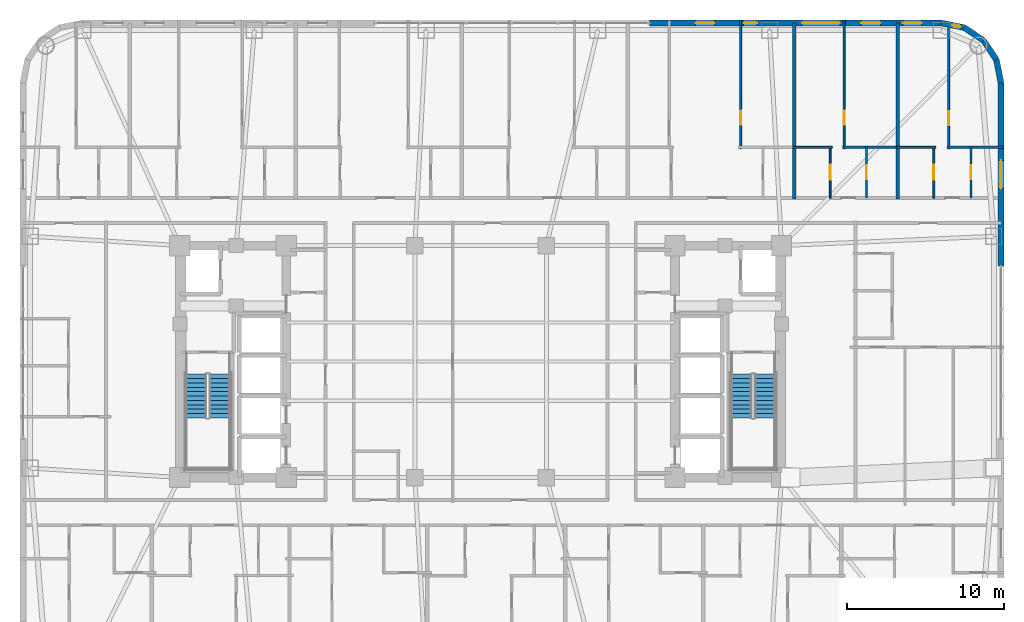
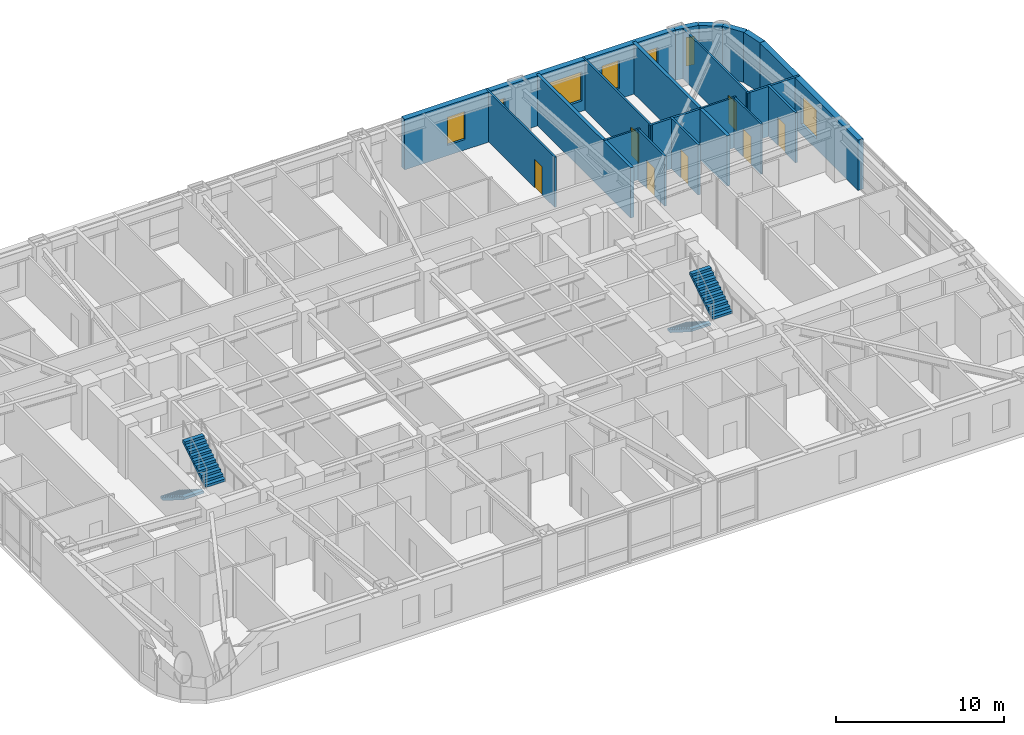
# One storey, part 26 of 28: 19 walls, 7 doors, 7 windows, 4 stair flights, 14 openings, 2 elements without a shape of their own.
"""IFC4 building model written with IfcOpenShell, lengths in metres."""

from ifc_helpers import new_model, si_unit, direction, frame, frame_2d, origin, place, context, subcontext, project, spatial, polyline, rectangle, outline, extrude, material, layer, layer_set, type_object, element, fill, aggregate, save


model = new_model("IFC4")

# Units and contexts
model_context = context("Model", 3, precision=1e-05, world=origin(), true_north=direction((0.0, 1.0)))
body_context = subcontext(model_context, "Body", "Model", "MODEL_VIEW")
ifc_project = project(units=[si_unit("LENGTHUNIT", "METRE"), si_unit("AREAUNIT", "SQUARE_METRE"), si_unit("VOLUMEUNIT", "CUBIC_METRE"), si_unit("PLANEANGLEUNIT", "RADIAN"), si_unit("MASSUNIT", "GRAM", prefix="KILO")], contexts=[model_context])

# Site, building, storey
site_placement = place(None, origin())
site = spatial("IfcSite", under=ifc_project, at=site_placement, CompositionType="ELEMENT")
building_placement = place(site_placement, origin())
building = spatial("IfcBuilding", under=site, at=building_placement, Name="Voryun Gate Residences", CompositionType="ELEMENT")
storey_placement = place(building_placement, frame((0.0, 0.0, 117.0)))
storey = spatial("IfcBuildingStorey", under=building, at=storey_placement, Name="L28", CompositionType="ELEMENT", Elevation=117.0)

# Wall, openings, windows
ifc_material_1 = material(Name="Granite masonry", Category="masonry")
ifc_layer_1 = layer(ifc_material_1, 0.3798828125, Name="W_EXT_GRANITE_380")
ifc_layer_set_1 = layer_set([ifc_layer_1], Name="Granite masonry")
wall_type_1 = type_object("IfcWallType", Name="W_EXT_GRANITE_380", PredefinedType="ELEMENTEDWALL", material=ifc_layer_set_1)
wall_1_placement = place(storey_placement, frame((10.761962890625, 21.610107421875, 0.0), z_axis=(0.0, 0.0, 1.0), x_axis=(1.0, 0.0, 0.0)))
wall_1 = element("IfcWall", 1, at=wall_1_placement, inside=storey, type_object=wall_type_1, Name="Exterior wall WEXT-L28-11B", PredefinedType="ELEMENTEDWALL", context=body_context, shape_type="SweptSolid", body=[
    extrude(rectangle(XDim=18.619384765625, YDim=0.3798828125, at=frame_2d((9.3095703125, 0.0))), origin(), (0.0, 0.0, 1.0), 3.64990234375),
])
opening_1_placement = place(wall_1_placement, frame((9.759521484375, 0.0, 0.75)))
opening_1 = element("IfcOpeningElement", 2, at=opening_1_placement, cuts=wall_1, Name="Opening WN2", PredefinedType="OPENING", context=body_context, shape_type="SweptSolid", body=[
    extrude(rectangle(XDim=2.39990234375, YDim=2.10009765625, at=frame_2d((1.199951171875, 1.050048828125))), frame((0.0, 0.199951171875, 0.0), z_axis=(0.0, -1.0, 0.0), x_axis=(1.0, 0.0, 0.0)), (0.0, 0.0, 1.0), 0.39990234375),
])
opening_2_placement = place(wall_1_placement, frame((2.951904296875, 0.0, 0.75)))
opening_2 = element("IfcOpeningElement", 3, at=opening_2_placement, cuts=wall_1, Name="Opening WN6", PredefinedType="OPENING", context=body_context, shape_type="SweptSolid", body=[
    extrude(rectangle(XDim=1.199951171875, YDim=2.050048828125, at=frame_2d((0.60009765625, 1.02490234375))), frame((0.0, 0.199951171875, 0.0), z_axis=(0.0, -1.0, 0.0), x_axis=(1.0, 0.0, 0.0)), (0.0, 0.0, 1.0), 0.39990234375),
])
opening_3_placement = place(wall_1_placement, frame((6.028076171875, 0.0, 0.75)))
opening_3 = element("IfcOpeningElement", 4, at=opening_3_placement, cuts=wall_1, Name="Opening WN9", PredefinedType="OPENING", context=body_context, shape_type="SweptSolid", body=[
    extrude(rectangle(XDim=0.85009765625, YDim=2.050048828125, at=frame_2d((0.425048828125, 1.02490234375))), frame((0.0, 0.199951171875, 0.0), z_axis=(0.0, -1.0, 0.0), x_axis=(1.0, 0.0, 0.0)), (0.0, 0.0, 1.0), 0.39990234375),
])
opening_4_placement = place(wall_1_placement, frame((13.5419921875, 0.0, 0.75)))
opening_4 = element("IfcOpeningElement", 5, at=opening_4_placement, cuts=wall_1, Name="Opening WN6", PredefinedType="OPENING", context=body_context, shape_type="SweptSolid", body=[
    extrude(rectangle(XDim=1.199951171875, YDim=2.050048828125, at=frame_2d((0.60009765625, 1.02490234375))), frame((0.0, 0.199951171875, 0.0), z_axis=(0.0, -1.0, 0.0), x_axis=(1.0, 0.0, 0.0)), (0.0, 0.0, 1.0), 0.39990234375),
])
opening_5_placement = place(wall_1_placement, frame((16.18798828125, 0.0, 0.75)))
opening_5 = element("IfcOpeningElement", 6, at=opening_5_placement, cuts=wall_1, Name="Opening WN6", PredefinedType="OPENING", context=body_context, shape_type="SweptSolid", body=[
    extrude(rectangle(XDim=1.199951171875, YDim=2.050048828125, at=frame_2d((0.60009765625, 1.02490234375))), frame((0.0, 0.199951171875, 0.0), z_axis=(0.0, -1.0, 0.0), x_axis=(1.0, 0.0, 0.0)), (0.0, 0.0, 1.0), 0.39990234375),
])
ifc_material_2 = material(Name="Laminated low-E glass", Category="glass")
window_type_1 = type_object("IfcWindowType", Name="WN_POD_SLOT_1200", PartitioningType="SINGLE_PANEL", PredefinedType="WINDOW", material=ifc_material_2)
window_1_placement = place(opening_2_placement, origin())
window_1 = element("IfcWindow", 7, at=window_1_placement, inside=storey, type_object=window_type_1, Name="Window WN-L28-DWFIX-06", OverallHeight=2.050048828125, OverallWidth=1.199951171875, PartitioningType="SINGLE_PANEL", PredefinedType="WINDOW", context=body_context, shape_type="SweptSolid", body=[
    extrude(rectangle(XDim=1.199951171875, YDim=2.050048828125, at=frame_2d((0.60009765625, 1.02490234375))), frame((0.0, 0.030029296875, 0.0), z_axis=(0.0, -1.0, 0.0), x_axis=(1.0, 0.0, 0.0)), (0.0, 0.0, 1.0), 0.06005859375),
])
fill(opening_2, window_1)
window_2_placement = place(opening_4_placement, origin())
window_2 = element("IfcWindow", 8, at=window_2_placement, inside=storey, type_object=window_type_1, Name="Window WN-L28-DWFIX-08", OverallHeight=2.050048828125, OverallWidth=1.199951171875, PartitioningType="SINGLE_PANEL", PredefinedType="WINDOW", context=body_context, shape_type="SweptSolid", body=[
    extrude(rectangle(XDim=1.199951171875, YDim=2.050048828125, at=frame_2d((0.60009765625, 1.02490234375))), frame((0.0, 0.030029296875, 0.0), z_axis=(0.0, -1.0, 0.0), x_axis=(1.0, 0.0, 0.0)), (0.0, 0.0, 1.0), 0.06005859375),
])
fill(opening_4, window_2)
window_3_placement = place(opening_5_placement, origin())
window_3 = element("IfcWindow", 9, at=window_3_placement, inside=storey, type_object=window_type_1, Name="Window WN-L28-DWFIX-09", OverallHeight=2.050048828125, OverallWidth=1.199951171875, PartitioningType="SINGLE_PANEL", PredefinedType="WINDOW", context=body_context, shape_type="SweptSolid", body=[
    extrude(rectangle(XDim=1.199951171875, YDim=2.050048828125, at=frame_2d((0.60009765625, 1.02490234375))), frame((0.0, 0.030029296875, 0.0), z_axis=(0.0, -1.0, 0.0), x_axis=(1.0, 0.0, 0.0)), (0.0, 0.0, 1.0), 0.06005859375),
])
fill(opening_5, window_3)
ifc_material_3 = material(Name="Laminated low-E glass", Category="glass")
window_type_2 = type_object("IfcWindowType", Name="WN_RES_CASEMENT_850", PartitioningType="SINGLE_PANEL", PredefinedType="WINDOW", material=ifc_material_3)
window_4_placement = place(opening_3_placement, origin())
window_4 = element("IfcWindow", 10, at=window_4_placement, inside=storey, type_object=window_type_2, Name="Window WN-L28-DWFIX-07", OverallHeight=2.050048828125, OverallWidth=0.85009765625, PartitioningType="SINGLE_PANEL", PredefinedType="WINDOW", context=body_context, shape_type="SweptSolid", body=[
    extrude(rectangle(XDim=0.85009765625, YDim=2.050048828125, at=frame_2d((0.425048828125, 1.02490234375))), frame((0.0, 0.030029296875, 0.0), z_axis=(0.0, -1.0, 0.0), x_axis=(1.0, 0.0, 0.0)), (0.0, 0.0, 1.0), 0.06005859375),
])
fill(opening_3, window_4)
ifc_material_4 = material(Name="Laminated low-E glass", Category="glass")
window_type_3 = type_object("IfcWindowType", Name="WN_RES_WIDE_2400", PartitioningType="SINGLE_PANEL", PredefinedType="WINDOW", material=ifc_material_4)
window_5_placement = place(opening_1_placement, origin())
window_5 = element("IfcWindow", 11, at=window_5_placement, inside=storey, type_object=window_type_3, Name="Window WN-WEXT-L28-11B-01", OverallHeight=2.10009765625, OverallWidth=2.39990234375, PartitioningType="SINGLE_PANEL", PredefinedType="WINDOW", context=body_context, shape_type="SweptSolid", body=[
    extrude(rectangle(XDim=2.39990234375, YDim=2.10009765625, at=frame_2d((1.199951171875, 1.050048828125))), frame((0.0, 0.030029296875, 0.0), z_axis=(0.0, -1.0, 0.0), x_axis=(1.0, 0.0, 0.0)), (0.0, 0.0, 1.0), 0.06005859375),
])
fill(opening_1, window_5)

# Wall, opening, window
wall_2_placement = place(storey_placement, frame((29.38134765625, 21.610107421875, 0.0), z_axis=(0.0, 0.0, 1.0), x_axis=(0.980755066645, -0.195242155415, 0.0)))
wall_2 = element("IfcWall", 12, at=wall_2_placement, inside=storey, type_object=wall_type_1, Name="Exterior wall WEXT-L28-12", PredefinedType="ELEMENTEDWALL", context=body_context, shape_type="SweptSolid", body=[
    extrude(rectangle(XDim=1.50439453125, YDim=0.3798828125, at=frame_2d((0.752197265625, 0.0))), origin(), (0.0, 0.0, 1.0), 3.64990234375),
])
opening_6_placement = place(wall_2_placement, frame((0.732177734375, 0.0, 0.75)))
opening_6 = element("IfcOpeningElement", 13, at=opening_6_placement, cuts=wall_2, Name="Opening WN10", PredefinedType="OPENING", context=body_context, shape_type="SweptSolid", body=[
    extrude(rectangle(XDim=0.52001953125, YDim=2.050048828125, at=frame_2d((0.260009765625, 1.02490234375))), frame((0.0, 0.199951171875, 0.0), z_axis=(0.0, -1.0, 0.0), x_axis=(1.0, 0.0, 0.0)), (0.0, 0.0, 1.0), 0.39990234375),
])
ifc_material_5 = material(Name="Laminated low-E glass", Category="glass")
window_type_4 = type_object("IfcWindowType", Name="WN_PAGODA_LANCET_520", PartitioningType="SINGLE_PANEL", PredefinedType="WINDOW", material=ifc_material_5)
window_6_placement = place(opening_6_placement, origin())
window_6 = element("IfcWindow", 14, at=window_6_placement, inside=storey, type_object=window_type_4, Name="Window WN-L28-DWFIX-10", OverallHeight=2.050048828125, OverallWidth=0.52001953125, PartitioningType="SINGLE_PANEL", PredefinedType="WINDOW", context=body_context, shape_type="SweptSolid", body=[
    extrude(rectangle(XDim=0.52001953125, YDim=2.050048828125, at=frame_2d((0.260009765625, 1.02490234375))), frame((0.0, 0.030029296875, 0.0), z_axis=(0.0, -1.0, 0.0), x_axis=(1.0, 0.0, 0.0)), (0.0, 0.0, 1.0), 0.06005859375),
])
fill(opening_6, window_6)

# Walls
wall_3_placement = place(storey_placement, frame((30.856689453125, 21.31640625, 0.0), z_axis=(0.0, 0.0, 1.0), x_axis=(0.831468045563, -0.555572577804, 0.0)))
element("IfcWall", 15, at=wall_3_placement, inside=storey, type_object=wall_type_1, Name="Exterior wall WEXT-L28-13", PredefinedType="ELEMENTEDWALL", context=body_context, shape_type="SweptSolid", body=[
    extrude(rectangle(XDim=1.48486328125, YDim=0.3798828125, at=frame_2d((0.742431640625, 0.0))), origin(), (0.0, 0.0, 1.0), 3.64990234375),
])
wall_4_placement = place(storey_placement, frame((32.09130859375, 20.491455078125, 0.0), z_axis=(0.0, 0.0, 1.0), x_axis=(0.555610286119, -0.831442848281, 0.0)))
element("IfcWall", 16, at=wall_4_placement, inside=storey, type_object=wall_type_1, Name="Exterior wall WEXT-L28-14", PredefinedType="ELEMENTEDWALL", context=body_context, shape_type="SweptSolid", body=[
    extrude(rectangle(XDim=1.485107421875, YDim=0.3798828125, at=frame_2d((0.74267578125, 0.0))), origin(), (0.0, 0.0, 1.0), 3.64990234375),
])
wall_5_placement = place(storey_placement, frame((32.91650390625, 19.256591796875, 0.0), z_axis=(0.0, 0.0, 1.0), x_axis=(0.195086038585, -0.980786132421, 0.0)))
element("IfcWall", 17, at=wall_5_placement, inside=storey, type_object=wall_type_1, Name="Exterior wall WEXT-L28-15", PredefinedType="ELEMENTEDWALL", context=body_context, shape_type="SweptSolid", body=[
    extrude(rectangle(XDim=1.504150390625, YDim=0.3798828125, at=frame_2d((0.751953125, 0.0))), origin(), (0.0, 0.0, 1.0), 3.64990234375),
])

# Wall, opening, window
wall_6_placement = place(storey_placement, frame((33.2099609375, 17.78125, 0.0), z_axis=(0.0, 0.0, 1.0), x_axis=(0.0, -1.0, 0.0)))
wall_6 = element("IfcWall", 18, at=wall_6_placement, inside=storey, type_object=wall_type_1, Name="Exterior wall WEXT-L28-16A", PredefinedType="ELEMENTEDWALL", context=body_context, shape_type="SweptSolid", body=[
    extrude(rectangle(XDim=11.683349609375, YDim=0.3798828125, at=frame_2d((5.841796875, 0.0))), origin(), (0.0, 0.0, 1.0), 3.64990234375),
])
opening_7_placement = place(wall_6_placement, frame((4.941650390625, 0.0, 0.75)))
opening_7 = element("IfcOpeningElement", 19, at=opening_7_placement, cuts=wall_6, Name="Opening WN1", PredefinedType="OPENING", context=body_context, shape_type="SweptSolid", body=[
    extrude(rectangle(XDim=1.800048828125, YDim=2.10009765625, at=frame_2d((0.89990234375, 1.050048828125))), frame((0.0, 0.199951171875, 0.0), z_axis=(0.0, -1.0, 0.0), x_axis=(1.0, 0.0, 0.0)), (0.0, 0.0, 1.0), 0.39990234375),
])
ifc_material_6 = material(Name="Laminated low-E glass", Category="glass")
window_type_5 = type_object("IfcWindowType", Name="WN_RES_PUNCH_1800", PartitioningType="SINGLE_PANEL", PredefinedType="WINDOW", material=ifc_material_6)
window_7_placement = place(opening_7_placement, origin())
window_7 = element("IfcWindow", 20, at=window_7_placement, inside=storey, type_object=window_type_5, Name="Window WN-WEXT-L28-16A-01", OverallHeight=2.10009765625, OverallWidth=1.800048828125, PartitioningType="SINGLE_PANEL", PredefinedType="WINDOW", context=body_context, shape_type="SweptSolid", body=[
    extrude(rectangle(XDim=1.800048828125, YDim=2.10009765625, at=frame_2d((0.89990234375, 1.050048828125))), frame((0.0, 0.030029296875, 0.0), z_axis=(0.0, -1.0, 0.0), x_axis=(1.0, 0.0, 0.0)), (0.0, 0.0, 1.0), 0.06005859375),
])
fill(opening_7, window_7)

# Walls
ifc_material_7 = material(Name="Concrete C40/50", Category="concrete")
ifc_layer_2 = layer(ifc_material_7, 0.219970703125, Name="W_PARTY_ACOUSTIC_220")
ifc_layer_set_2 = layer_set([ifc_layer_2], Name="Concrete C40/50")
wall_type_2 = type_object("IfcWallType", Name="W_PARTY_ACOUSTIC_220", PredefinedType="PARTITIONING", material=ifc_layer_set_2)
for number, where, z_axis, x_axis, name in (
    (21, (20.0, 10.3701171875, 0.0), (0.0, 0.0, 1.0), (0.0, 1.0, 0.0), "Partition wall WP-L28-NPTY-5"),
    (22, (26.60888671875, 10.3701171875, 0.0), (0.0, 0.0, 1.0), (0.0, 1.0, 0.0), "Partition wall WP-L28-NPTY-6"),
):
    element("IfcWall", number, at=place(storey_placement, frame(where, z_axis=z_axis, x_axis=x_axis)), inside=storey, type_object=wall_type_2, Name=name, PredefinedType="PARTITIONING", context=body_context, shape_type="SweptSolid", body=[
        extrude(rectangle(XDim=11.239990234375, YDim=0.219970703125, at=frame_2d((5.6201171875, 0.0))), origin(), (0.0, 0.0, 1.0), 3.64990234375),
    ])

# Wall, opening, door
ifc_material_8 = material(Name="Gypsum acoustic partition")
ifc_layer_3 = layer(ifc_material_8, 0.125, Name="W_UNIT_PART_125")
ifc_layer_set_3 = layer_set([ifc_layer_3], Name="Gypsum acoustic partition")
wall_type_3 = type_object("IfcWallType", Name="W_UNIT_PART_125", PredefinedType="PARTITIONING", material=ifc_layer_set_3)
wall_7_placement = place(storey_placement, frame((16.590087890625, 13.590087890625, 0.0), z_axis=(0.0, 0.0, 1.0), x_axis=(0.0, 1.0, 0.0)))
wall_7 = element("IfcWall", 23, at=wall_7_placement, inside=storey, type_object=wall_type_3, Name="Partition wall WP-L28-N5-OVR", PredefinedType="PARTITIONING", context=body_context, shape_type="SweptSolid", body=[
    extrude(rectangle(XDim=8.169921875, YDim=0.125, at=frame_2d((4.0849609375, 0.0))), origin(), (0.0, 0.0, 1.0), 3.64990234375),
])
opening_8_placement = place(wall_7_placement, frame((1.5107421875, 0.0, 0.0)))
opening_8 = element("IfcOpeningElement", 24, at=opening_8_placement, cuts=wall_7, Name="Opening D-INT-2", PredefinedType="OPENING", context=body_context, shape_type="SweptSolid", body=[
    extrude(rectangle(XDim=0.89990234375, YDim=2.050048828125, at=frame_2d((0.449951171875, 1.02490234375))), frame((0.0, 0.072509765625, 0.0), z_axis=(0.0, -1.0, 0.0), x_axis=(1.0, 0.0, 0.0)), (0.0, 0.0, 1.0), 0.14501953125),
])
ifc_material_9 = material(Name="Architectural oak veneer")
door_type_1 = type_object("IfcDoorType", Name="DR_INT_BATH_900", OperationType="NOTDEFINED", PredefinedType="DOOR", material=ifc_material_9)
door_1_placement = place(opening_8_placement, origin())
door_1 = element("IfcDoor", 25, at=door_1_placement, inside=storey, type_object=door_type_1, Name="Door DR-L28-N5-DMB", OperationType="SINGLE_SWING_RIGHT", OverallHeight=2.050048828125, OverallWidth=0.89990234375, PredefinedType="DOOR", context=body_context, shape_type="SweptSolid", body=[
    extrude(rectangle(XDim=0.89990234375, YDim=2.050048828125, at=frame_2d((0.449951171875, 1.02490234375))), frame((0.0, 0.02490234375, 0.0), z_axis=(0.0, -1.0, 0.0), x_axis=(1.0, 0.0, 0.0)), (0.0, 0.0, 1.0), 0.050048828125),
])
fill(opening_8, door_1)

wall_8_placement = place(storey_placement, frame((23.198974609375, 13.590087890625, 0.0), z_axis=(0.0, 0.0, 1.0), x_axis=(0.0, 1.0, 0.0)))
wall_8 = element("IfcWall", 26, at=wall_8_placement, inside=storey, type_object=wall_type_3, Name="Partition wall WP-L28-N6-OVR", PredefinedType="PARTITIONING", context=body_context, shape_type="SweptSolid", body=[
    extrude(rectangle(XDim=8.169921875, YDim=0.125, at=frame_2d((4.0849609375, 0.0))), origin(), (0.0, 0.0, 1.0), 3.64990234375),
])
opening_9_placement = place(wall_8_placement, frame((1.5107421875, 0.0, 0.0)))
opening_9 = element("IfcOpeningElement", 27, at=opening_9_placement, cuts=wall_8, Name="Opening D-INT-2", PredefinedType="OPENING", context=body_context, shape_type="SweptSolid", body=[
    extrude(rectangle(XDim=0.89990234375, YDim=2.050048828125, at=frame_2d((0.449951171875, 1.02490234375))), frame((0.0, 0.072509765625, 0.0), z_axis=(0.0, -1.0, 0.0), x_axis=(1.0, 0.0, 0.0)), (0.0, 0.0, 1.0), 0.14501953125),
])
door_2_placement = place(opening_9_placement, origin())
door_2 = element("IfcDoor", 28, at=door_2_placement, inside=storey, type_object=door_type_1, Name="Door DR-L28-N6-DMB", OperationType="SINGLE_SWING_RIGHT", OverallHeight=2.050048828125, OverallWidth=0.89990234375, PredefinedType="DOOR", context=body_context, shape_type="SweptSolid", body=[
    extrude(rectangle(XDim=0.89990234375, YDim=2.050048828125, at=frame_2d((0.449951171875, 1.02490234375))), frame((0.0, 0.02490234375, 0.0), z_axis=(0.0, -1.0, 0.0), x_axis=(1.0, 0.0, 0.0)), (0.0, 0.0, 1.0), 0.050048828125),
])
fill(opening_9, door_2)

wall_9_placement = place(storey_placement, frame((22.31005859375, 10.429931640625, 0.0), z_axis=(0.0, 0.0, 1.0), x_axis=(0.0, 1.0, 0.0)))
wall_9 = element("IfcWall", 29, at=wall_9_placement, inside=storey, type_object=wall_type_3, Name="Partition wall WP-L28-N6-IVK", PredefinedType="PARTITIONING", context=body_context, shape_type="SweptSolid", body=[
    extrude(rectangle(XDim=3.320068359375, YDim=0.125, at=frame_2d((1.66015625, 0.0))), origin(), (0.0, 0.0, 1.0), 3.64990234375),
])
opening_10_placement = place(wall_9_placement, frame((1.18505859375, 0.0, 0.0)))
opening_10 = element("IfcOpeningElement", 30, at=opening_10_placement, cuts=wall_9, Name="Opening D-INT-1", PredefinedType="OPENING", context=body_context, shape_type="SweptSolid", body=[
    extrude(rectangle(XDim=0.949951171875, YDim=2.050048828125, at=frame_2d((0.47509765625, 1.02490234375))), frame((0.0, 0.072509765625, 0.0), z_axis=(0.0, -1.0, 0.0), x_axis=(1.0, 0.0, 0.0)), (0.0, 0.0, 1.0), 0.14501953125),
])
ifc_material_10 = material(Name="Architectural oak veneer")
door_type_2 = type_object("IfcDoorType", Name="DR_INT_ROOM_950", OperationType="NOTDEFINED", PredefinedType="DOOR", material=ifc_material_10)
door_3_placement = place(opening_10_placement, origin())
door_3 = element("IfcDoor", 31, at=door_3_placement, inside=storey, type_object=door_type_2, Name="Door DR-L28-N6-DK", OperationType="SINGLE_SWING_LEFT", OverallHeight=2.050048828125, OverallWidth=0.949951171875, PredefinedType="DOOR", context=body_context, shape_type="SweptSolid", body=[
    extrude(rectangle(XDim=0.949951171875, YDim=2.050048828125, at=frame_2d((0.47509765625, 1.02490234375))), frame((0.0, 0.02490234375, 0.0), z_axis=(0.0, -1.0, 0.0), x_axis=(1.0, 0.0, 0.0)), (0.0, 0.0, 1.0), 0.050048828125),
])
fill(opening_10, door_3)

# Wall
wall_10_placement = place(storey_placement, frame((19.925048828125, 13.669921875, 0.0), z_axis=(0.0, 0.0, 1.0), x_axis=(1.0, 0.0, 0.0)))
element("IfcWall", 32, at=wall_10_placement, inside=storey, type_object=wall_type_3, Name="Partition wall WP-L28-N6-HZK", PredefinedType="PARTITIONING", context=body_context, shape_type="SweptSolid", body=[
    extrude(rectangle(XDim=2.5048828125, YDim=0.125, at=frame_2d((1.25244140625, 0.0))), origin(), (0.0, 0.0, 1.0), 3.64990234375),
])

# Wall, opening, door
wall_11_placement = place(storey_placement, frame((29.867919921875, 13.590087890625, 0.0), z_axis=(0.0, 0.0, 1.0), x_axis=(0.0, 1.0, 0.0)))
wall_11 = element("IfcWall", 33, at=wall_11_placement, inside=storey, type_object=wall_type_3, Name="Partition wall WP-L28-N7-OVR", PredefinedType="PARTITIONING", context=body_context, shape_type="SweptSolid", body=[
    extrude(rectangle(XDim=8.075927734375, YDim=0.125, at=frame_2d((4.0380859375, 0.0))), origin(), (0.0, 0.0, 1.0), 3.64990234375),
])
opening_11_placement = place(wall_11_placement, frame((1.48828125, 0.0, 0.0)))
opening_11 = element("IfcOpeningElement", 34, at=opening_11_placement, cuts=wall_11, Name="Opening D-INT-2", PredefinedType="OPENING", context=body_context, shape_type="SweptSolid", body=[
    extrude(rectangle(XDim=0.89990234375, YDim=2.050048828125, at=frame_2d((0.449951171875, 1.02490234375))), frame((0.0, 0.072509765625, 0.0), z_axis=(0.0, -1.0, 0.0), x_axis=(1.0, 0.0, 0.0)), (0.0, 0.0, 1.0), 0.14501953125),
])
door_4_placement = place(opening_11_placement, origin())
door_4 = element("IfcDoor", 35, at=door_4_placement, inside=storey, type_object=door_type_1, Name="Door DR-L28-N7-DMB", OperationType="SINGLE_SWING_RIGHT", OverallHeight=2.050048828125, OverallWidth=0.89990234375, PredefinedType="DOOR", context=body_context, shape_type="SweptSolid", body=[
    extrude(rectangle(XDim=0.89990234375, YDim=2.050048828125, at=frame_2d((0.449951171875, 1.02490234375))), frame((0.0, 0.02490234375, 0.0), z_axis=(0.0, -1.0, 0.0), x_axis=(1.0, 0.0, 0.0)), (0.0, 0.0, 1.0), 0.050048828125),
])
fill(opening_11, door_4)

wall_12_placement = place(storey_placement, frame((28.9189453125, 10.429931640625, 0.0), z_axis=(0.0, 0.0, 1.0), x_axis=(0.0, 1.0, 0.0)))
wall_12 = element("IfcWall", 36, at=wall_12_placement, inside=storey, type_object=wall_type_3, Name="Partition wall WP-L28-N7-IVK", PredefinedType="PARTITIONING", context=body_context, shape_type="SweptSolid", body=[
    extrude(rectangle(XDim=3.320068359375, YDim=0.125, at=frame_2d((1.66015625, 0.0))), origin(), (0.0, 0.0, 1.0), 3.64990234375),
])
opening_12_placement = place(wall_12_placement, frame((1.18505859375, 0.0, 0.0)))
opening_12 = element("IfcOpeningElement", 37, at=opening_12_placement, cuts=wall_12, Name="Opening D-INT-1", PredefinedType="OPENING", context=body_context, shape_type="SweptSolid", body=[
    extrude(rectangle(XDim=0.949951171875, YDim=2.050048828125, at=frame_2d((0.47509765625, 1.02490234375))), frame((0.0, 0.072509765625, 0.0), z_axis=(0.0, -1.0, 0.0), x_axis=(1.0, 0.0, 0.0)), (0.0, 0.0, 1.0), 0.14501953125),
])
door_5_placement = place(opening_12_placement, origin())
door_5 = element("IfcDoor", 38, at=door_5_placement, inside=storey, type_object=door_type_2, Name="Door DR-L28-N7-DK", OperationType="SINGLE_SWING_LEFT", OverallHeight=2.050048828125, OverallWidth=0.949951171875, PredefinedType="DOOR", context=body_context, shape_type="SweptSolid", body=[
    extrude(rectangle(XDim=0.949951171875, YDim=2.050048828125, at=frame_2d((0.47509765625, 1.02490234375))), frame((0.0, 0.02490234375, 0.0), z_axis=(0.0, -1.0, 0.0), x_axis=(1.0, 0.0, 0.0)), (0.0, 0.0, 1.0), 0.050048828125),
])
fill(opening_12, door_5)

# Walls
wall_13_placement = place(storey_placement, frame((26.533935546875, 13.669921875, 0.0), z_axis=(0.0, 0.0, 1.0), x_axis=(1.0, 0.0, 0.0)))
element("IfcWall", 39, at=wall_13_placement, inside=storey, type_object=wall_type_3, Name="Partition wall WP-L28-N7-HZK", PredefinedType="PARTITIONING", context=body_context, shape_type="SweptSolid", body=[
    extrude(rectangle(XDim=2.505126953125, YDim=0.125, at=frame_2d((1.25244140625, 0.0))), origin(), (0.0, 0.0, 1.0), 3.64990234375),
])
ifc_material_11 = material(Name="Gypsum moisture-resistant partition")
ifc_layer_4 = layer(ifc_material_11, 0.14990234375, Name="W_WET_PLUMB_150")
ifc_layer_set_4 = layer_set([ifc_layer_4], Name="Gypsum moisture-resistant partition")
wall_type_4 = type_object("IfcWallType", Name="W_WET_PLUMB_150", PredefinedType="PLUMBINGWALL", material=ifc_layer_set_4)
wall_14_placement = place(storey_placement, frame((23.0791015625, 13.669921875, 0.0), z_axis=(0.0, 0.0, 1.0), x_axis=(1.0, 0.0, 0.0)))
element("IfcWall", 40, at=wall_14_placement, inside=storey, type_object=wall_type_4, Name="Partition wall WP-L28-N6-HZB", PredefinedType="PLUMBINGWALL", context=body_context, shape_type="SweptSolid", body=[
    extrude(rectangle(XDim=3.60498046875, YDim=0.14990234375, at=frame_2d((1.802490234375, 0.0))), origin(), (0.0, 0.0, 1.0), 3.64990234375),
])

# Wall, opening, door
wall_15_placement = place(storey_placement, frame((24.62890625, 10.429931640625, 0.0), z_axis=(0.0, 0.0, 1.0), x_axis=(0.0, 1.0, 0.0)))
wall_15 = element("IfcWall", 41, at=wall_15_placement, inside=storey, type_object=wall_type_4, Name="Partition wall WP-L28-N6-IVB", PredefinedType="PLUMBINGWALL", context=body_context, shape_type="SweptSolid", body=[
    extrude(rectangle(XDim=3.320068359375, YDim=0.14990234375, at=frame_2d((1.66015625, 0.0))), origin(), (0.0, 0.0, 1.0), 3.64990234375),
])
opening_13_placement = place(wall_15_placement, frame((1.2099609375, 0.0, 0.0)))
opening_13 = element("IfcOpeningElement", 42, at=opening_13_placement, cuts=wall_15, Name="Opening D-INT-2", PredefinedType="OPENING", context=body_context, shape_type="SweptSolid", body=[
    extrude(rectangle(XDim=0.89990234375, YDim=2.050048828125, at=frame_2d((0.449951171875, 1.02490234375))), frame((0.0, 0.0849609375, 0.0), z_axis=(0.0, -1.0, 0.0), x_axis=(1.0, 0.0, 0.0)), (0.0, 0.0, 1.0), 0.169921875),
])
door_6_placement = place(opening_13_placement, origin())
door_6 = element("IfcDoor", 43, at=door_6_placement, inside=storey, type_object=door_type_1, Name="Door DR-L28-N6-DB", OperationType="SINGLE_SWING_RIGHT", OverallHeight=2.050048828125, OverallWidth=0.89990234375, PredefinedType="DOOR", context=body_context, shape_type="SweptSolid", body=[
    extrude(rectangle(XDim=0.89990234375, YDim=2.050048828125, at=frame_2d((0.449951171875, 1.02490234375))), frame((0.0, 0.02490234375, 0.0), z_axis=(0.0, -1.0, 0.0), x_axis=(1.0, 0.0, 0.0)), (0.0, 0.0, 1.0), 0.050048828125),
])
fill(opening_13, door_6)

# Wall
wall_16_placement = place(storey_placement, frame((29.748046875, 13.669921875, 0.0), z_axis=(0.0, 0.0, 1.0), x_axis=(1.0, 0.0, 0.0)))
element("IfcWall", 44, at=wall_16_placement, inside=storey, type_object=wall_type_4, Name="Partition wall WP-L28-N7-HZB", PredefinedType="PLUMBINGWALL", context=body_context, shape_type="SweptSolid", body=[
    extrude(rectangle(XDim=3.612060546875, YDim=0.14990234375, at=frame_2d((1.80615234375, 0.0))), origin(), (0.0, 0.0, 1.0), 3.64990234375),
])

# Wall, opening, door
wall_17_placement = place(storey_placement, frame((31.298095703125, 10.429931640625, 0.0), z_axis=(0.0, 0.0, 1.0), x_axis=(0.0, 1.0, 0.0)))
wall_17 = element("IfcWall", 45, at=wall_17_placement, inside=storey, type_object=wall_type_4, Name="Partition wall WP-L28-N7-IVB", PredefinedType="PLUMBINGWALL", context=body_context, shape_type="SweptSolid", body=[
    extrude(rectangle(XDim=3.320068359375, YDim=0.14990234375, at=frame_2d((1.66015625, 0.0))), origin(), (0.0, 0.0, 1.0), 3.64990234375),
])
opening_14_placement = place(wall_17_placement, frame((1.2099609375, 0.0, 0.0)))
opening_14 = element("IfcOpeningElement", 46, at=opening_14_placement, cuts=wall_17, Name="Opening D-INT-2", PredefinedType="OPENING", context=body_context, shape_type="SweptSolid", body=[
    extrude(rectangle(XDim=0.89990234375, YDim=2.050048828125, at=frame_2d((0.449951171875, 1.02490234375))), frame((0.0, 0.0849609375, 0.0), z_axis=(0.0, -1.0, 0.0), x_axis=(1.0, 0.0, 0.0)), (0.0, 0.0, 1.0), 0.169921875),
])
door_7_placement = place(opening_14_placement, origin())
door_7 = element("IfcDoor", 47, at=door_7_placement, inside=storey, type_object=door_type_1, Name="Door DR-L28-N7-DB", OperationType="SINGLE_SWING_RIGHT", OverallHeight=2.050048828125, OverallWidth=0.89990234375, PredefinedType="DOOR", context=body_context, shape_type="SweptSolid", body=[
    extrude(rectangle(XDim=0.89990234375, YDim=2.050048828125, at=frame_2d((0.449951171875, 1.02490234375))), frame((0.0, 0.02490234375, 0.0), z_axis=(0.0, -1.0, 0.0), x_axis=(1.0, 0.0, 0.0)), (0.0, 0.0, 1.0), 0.050048828125),
])
fill(opening_14, door_7)

# Stair, stair flights
ifc_material_12 = material(Name="Concrete C40/50", Category="concrete")
stair_type = type_object("IfcStairType", Name="STR_CORE_DOGLEG_1350", PredefinedType="HALF_TURN_STAIR", material=ifc_material_12)
stair_1_placement = place(storey_placement, origin())
stair_1 = element("IfcStair", 48, at=stair_1_placement, inside=storey, type_object=stair_type, Name="L28 Special Escape Stair ST-W1", PredefinedType="HALF_TURN_STAIR")
ifc_material_13 = material(Name="Concrete C40/50", Category="concrete")
stair_flight_type = type_object("IfcStairFlightType", Name="FLT_CORE_1350", PredefinedType="STRAIGHT", material=ifc_material_13)
stair_flight_1_placement = place(storey_placement, frame((-18.14990234375, -0.800048828125, 0.0), z_axis=(0.0, 0.0, 1.0), x_axis=(0.0, -1.0, 0.0)))
stair_flight_1 = element("IfcStairFlight", 49, at=stair_flight_1_placement, type_object=stair_flight_type, Name="ST-W1 flight 1", NumberOfRisers=11, NumberOfTreads=10, PredefinedType="STRAIGHT", RiserHeight=0.177272727, TreadLength=0.28, context=body_context, shape_type="SweptSolid", body=[
    extrude(outline(polyline([(0.0, 0.0), (0.0, 0.17724609375), (0.280029296875, 0.17724609375), (0.280029296875, 0.3544921875), (0.56005859375, 0.3544921875), (0.56005859375, 0.53173828125), (0.840087890625, 0.53173828125), (0.840087890625, 0.708984375), (1.1201171875, 0.708984375), (1.1201171875, 0.886474609375), (1.39990234375, 0.886474609375), (1.39990234375, 1.063720703125), (1.679931640625, 1.063720703125), (1.679931640625, 1.240966796875), (1.9599609375, 1.240966796875), (1.9599609375, 1.418212890625), (2.239990234375, 1.418212890625), (2.239990234375, 1.595458984375), (2.52001953125, 1.595458984375), (2.52001953125, 1.772705078125), (2.800048828125, 1.772705078125), (2.800048828125, 1.949951171875), (2.800048828125, 1.59521484375), (0.2802734375, 0.0), (0.0, 0.0)])), frame((0.0, 0.675048828125, 0.0), z_axis=(0.0, -1.0, 0.0), x_axis=(1.0, 0.0, 0.0)), (0.0, 0.0, 1.0), 1.35009765625),
])
stair_flight_2_placement = place(storey_placement, frame((-16.64990234375, -3.60009765625, 1.949951171875), z_axis=(0.0, 0.0, 1.0), x_axis=(0.0, 1.0, 0.0)))
stair_flight_2 = element("IfcStairFlight", 50, at=stair_flight_2_placement, type_object=stair_flight_type, Name="ST-W1 flight 2", NumberOfRisers=11, NumberOfTreads=10, PredefinedType="STRAIGHT", RiserHeight=0.177272727, TreadLength=0.28, context=body_context, shape_type="SweptSolid", body=[
    extrude(outline(polyline([(0.0, 0.0), (0.0, 0.17724609375), (0.280029296875, 0.17724609375), (0.280029296875, 0.3544921875), (0.56005859375, 0.3544921875), (0.56005859375, 0.53173828125), (0.840087890625, 0.53173828125), (0.840087890625, 0.708984375), (1.1201171875, 0.708984375), (1.1201171875, 0.886474609375), (1.39990234375, 0.886474609375), (1.39990234375, 1.063720703125), (1.679931640625, 1.063720703125), (1.679931640625, 1.240966796875), (1.9599609375, 1.240966796875), (1.9599609375, 1.418212890625), (2.239990234375, 1.418212890625), (2.239990234375, 1.595458984375), (2.52001953125, 1.595458984375), (2.52001953125, 1.772705078125), (2.800048828125, 1.772705078125), (2.800048828125, 1.949951171875), (2.800048828125, 1.59521484375), (0.2802734375, 0.0), (0.0, 0.0)])), frame((0.0, 0.675048828125, 0.0), z_axis=(0.0, -1.0, 0.0), x_axis=(1.0, 0.0, 0.0)), (0.0, 0.0, 1.0), 1.35009765625),
])
aggregate(stair_1, [stair_flight_1, stair_flight_2])

stair_2_placement = place(storey_placement, origin())
stair_2 = element("IfcStair", 51, at=stair_2_placement, inside=storey, type_object=stair_type, Name="L28 Special Escape Stair ST-E1", PredefinedType="HALF_TURN_STAIR")
stair_flight_3_placement = place(storey_placement, frame((16.64990234375, -0.800048828125, 0.0), z_axis=(0.0, 0.0, 1.0), x_axis=(0.0, -1.0, 0.0)))
stair_flight_3 = element("IfcStairFlight", 52, at=stair_flight_3_placement, type_object=stair_flight_type, Name="ST-E1 flight 1", NumberOfRisers=11, NumberOfTreads=10, PredefinedType="STRAIGHT", RiserHeight=0.177272727, TreadLength=0.28, context=body_context, shape_type="SweptSolid", body=[
    extrude(outline(polyline([(0.0, 0.0), (0.0, 0.17724609375), (0.280029296875, 0.17724609375), (0.280029296875, 0.3544921875), (0.56005859375, 0.3544921875), (0.56005859375, 0.53173828125), (0.840087890625, 0.53173828125), (0.840087890625, 0.708984375), (1.1201171875, 0.708984375), (1.1201171875, 0.886474609375), (1.39990234375, 0.886474609375), (1.39990234375, 1.063720703125), (1.679931640625, 1.063720703125), (1.679931640625, 1.240966796875), (1.9599609375, 1.240966796875), (1.9599609375, 1.418212890625), (2.239990234375, 1.418212890625), (2.239990234375, 1.595458984375), (2.52001953125, 1.595458984375), (2.52001953125, 1.772705078125), (2.800048828125, 1.772705078125), (2.800048828125, 1.949951171875), (2.800048828125, 1.59521484375), (0.2802734375, 0.0), (0.0, 0.0)])), frame((0.0, 0.675048828125, 0.0), z_axis=(0.0, -1.0, 0.0), x_axis=(1.0, 0.0, 0.0)), (0.0, 0.0, 1.0), 1.35009765625),
])
stair_flight_4_placement = place(storey_placement, frame((18.14990234375, -3.60009765625, 1.949951171875), z_axis=(0.0, 0.0, 1.0), x_axis=(0.0, 1.0, 0.0)))
stair_flight_4 = element("IfcStairFlight", 53, at=stair_flight_4_placement, type_object=stair_flight_type, Name="ST-E1 flight 2", NumberOfRisers=11, NumberOfTreads=10, PredefinedType="STRAIGHT", RiserHeight=0.177272727, TreadLength=0.28, context=body_context, shape_type="SweptSolid", body=[
    extrude(outline(polyline([(0.0, 0.0), (0.0, 0.17724609375), (0.280029296875, 0.17724609375), (0.280029296875, 0.3544921875), (0.56005859375, 0.3544921875), (0.56005859375, 0.53173828125), (0.840087890625, 0.53173828125), (0.840087890625, 0.708984375), (1.1201171875, 0.708984375), (1.1201171875, 0.886474609375), (1.39990234375, 0.886474609375), (1.39990234375, 1.063720703125), (1.679931640625, 1.063720703125), (1.679931640625, 1.240966796875), (1.9599609375, 1.240966796875), (1.9599609375, 1.418212890625), (2.239990234375, 1.418212890625), (2.239990234375, 1.595458984375), (2.52001953125, 1.595458984375), (2.52001953125, 1.772705078125), (2.800048828125, 1.772705078125), (2.800048828125, 1.949951171875), (2.800048828125, 1.59521484375), (0.2802734375, 0.0), (0.0, 0.0)])), frame((0.0, 0.675048828125, 0.0), z_axis=(0.0, -1.0, 0.0), x_axis=(1.0, 0.0, 0.0)), (0.0, 0.0, 1.0), 1.35009765625),
])
aggregate(stair_2, [stair_flight_3, stair_flight_4])

save(model, "model.ifc")
